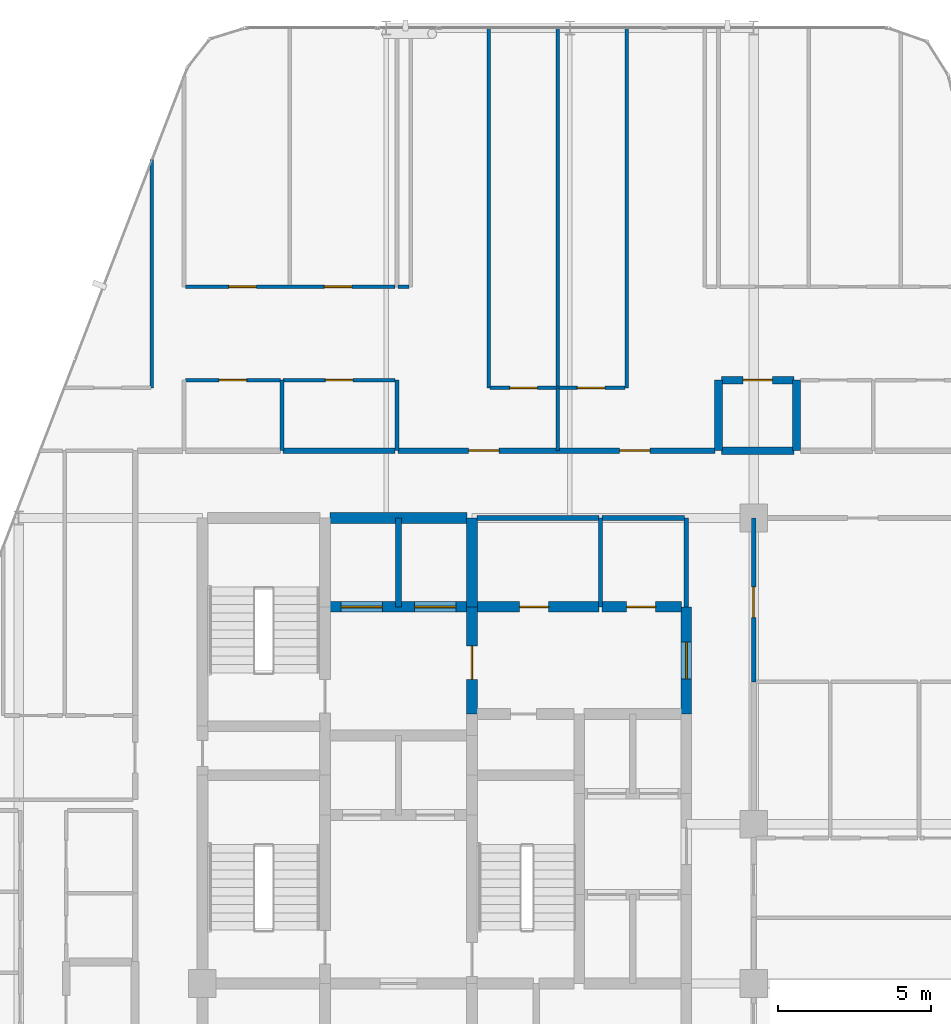
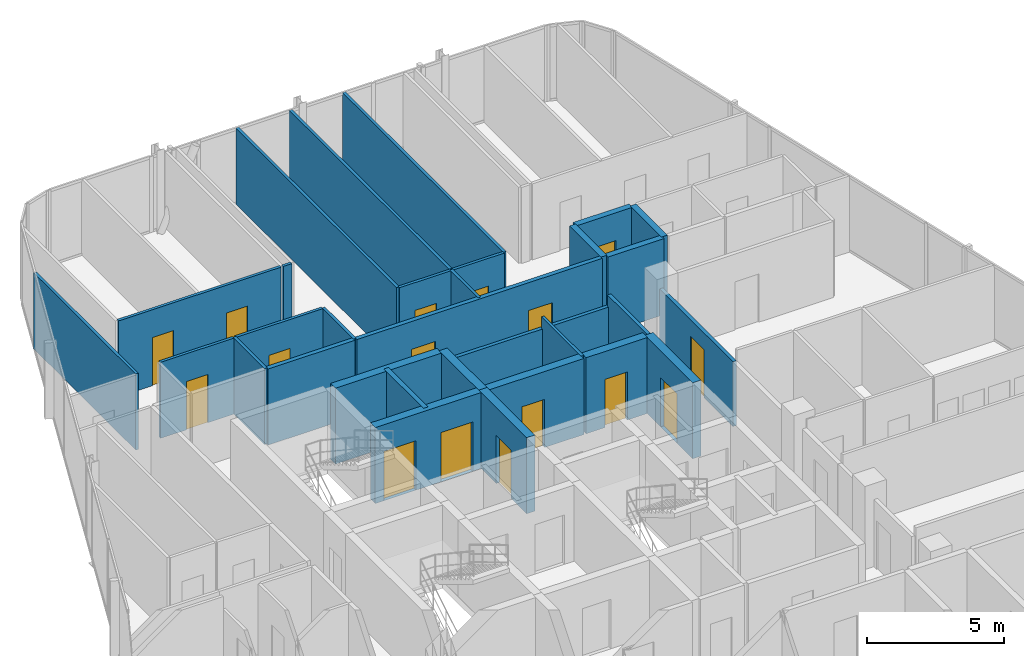
# One storey, part 27 of 29: 31 walls, 16 doors, 16 openings.
"""IFC4 building model written with IfcOpenShell, lengths in metres."""

from ifc_helpers import new_model, si_unit, direction, frame, frame_2d, origin, place, context, subcontext, project, spatial, rectangle, extrude, material, layer, layer_set, type_object, element, fill, save


model = new_model("IFC4")

# Units and contexts
model_context = context("Model", 3, precision=1e-05, world=origin(), true_north=direction((0.0, 1.0)))
body_context = subcontext(model_context, "Body", "Model", "MODEL_VIEW")
ifc_project = project(units=[si_unit("LENGTHUNIT", "METRE"), si_unit("AREAUNIT", "SQUARE_METRE"), si_unit("VOLUMEUNIT", "CUBIC_METRE"), si_unit("PLANEANGLEUNIT", "RADIAN"), si_unit("MASSUNIT", "GRAM", prefix="KILO")], contexts=[model_context])

# Site, building, storey
site_placement = place(None, origin())
site = spatial("IfcSite", under=ifc_project, at=site_placement, CompositionType="ELEMENT")
building_placement = place(site_placement, origin())
building = spatial("IfcBuilding", under=site, at=building_placement, Name="Keshet Zoharim Tower", CompositionType="ELEMENT")
storey_placement = place(building_placement, frame((0.0, 0.0, 188.39990234375)))
storey = spatial("IfcBuildingStorey", under=building, at=storey_placement, Name="L46", CompositionType="ELEMENT", Elevation=188.39990234375)

# Wall
ifc_material_1 = material(Name="Gypsum Plasterboard", Category="gypsum")
ifc_layer_1 = layer(ifc_material_1, 0.14990234375)
ifc_layer_set_1 = layer_set([ifc_layer_1], Name="Gypsum Plasterboard")
wall_type_1 = type_object("IfcWallType", Name="WL-CLIN-150", PredefinedType="STANDARD", material=ifc_layer_set_1)
wall_1_placement = place(storey_placement, frame((30.800048828125, 35.0, 0.0), z_axis=(0.0, 0.0, 1.0), x_axis=(0.0, 1.0, 0.0)))
element("IfcWall", 1, at=wall_1_placement, inside=storey, type_object=wall_type_1, Name="L46 Interior Wall 064", PredefinedType="STANDARD", context=body_context, shape_type="SweptSolid", body=[
    extrude(rectangle(XDim=2.89990234375, YDim=0.14990234375, at=frame_2d((1.449951171875, 0.0))), origin(), (0.0, 0.0, 1.0), 3.39013671875),
])

# Wall, opening, door
wall_2_placement = place(storey_placement, frame((33.0, 32.5400390625, 0.0), z_axis=(0.0, 0.0, 1.0), x_axis=(0.0, 1.0, 0.0)))
wall_2 = element("IfcWall", 2, at=wall_2_placement, inside=storey, type_object=wall_type_1, Name="L46 Interior Wall 074", PredefinedType="STANDARD", context=body_context, shape_type="SweptSolid", body=[
    extrude(rectangle(XDim=5.35986328125, YDim=0.14990234375, at=frame_2d((2.679931640625, 0.0))), origin(), (0.0, 0.0, 1.0), 2.89013671875),
])
opening_1_placement = place(wall_2_placement, frame((2.10888671875, 0.0, 0.0)))
opening_1 = element("IfcOpeningElement", 3, at=opening_1_placement, cuts=wall_2, Name="Opening D-F310", PredefinedType="OPENING", context=body_context, shape_type="SweptSolid", body=[
    extrude(rectangle(XDim=1.0, YDim=2.14990234375, at=frame_2d((0.5, 1.074951171875))), frame((0.0, 0.0849609375, 0.0), z_axis=(0.0, -1.0, 0.0), x_axis=(1.0, 0.0, 0.0)), (0.0, 0.0, 1.0), 0.169921875),
])
ifc_material_2 = material(Name="Hardwood Timber", Category="wood")
door_type_1 = type_object("IfcDoorType", Name="DR-FD30-100", OperationType="NOTDEFINED", PredefinedType="DOOR", material=ifc_material_2)
door_1_placement = place(opening_1_placement, origin())
door_1 = element("IfcDoor", 4, at=door_1_placement, inside=storey, type_object=door_type_1, Name="L46 North West Residents Services Suite Door 2", OperationType="SINGLE_SWING_LEFT", OverallHeight=2.14990234375, OverallWidth=1.0, PredefinedType="DOOR", context=body_context, shape_type="SweptSolid", body=[
    extrude(rectangle(XDim=1.0, YDim=2.14990234375, at=frame_2d((0.5, 1.074951171875))), frame((0.0, 0.02490234375, 0.0), z_axis=(0.0, -1.0, 0.0), x_axis=(1.0, 0.0, 0.0)), (0.0, 0.0, 1.0), 0.050048828125),
])
fill(opening_1, door_1)

# Walls
wall_3_placement = place(storey_placement, frame((23.9599609375, 37.89990234375, 0.0), z_axis=(0.0, 0.0, 1.0), x_axis=(1.0, 0.0, 0.0)))
element("IfcWall", 5, at=wall_3_placement, inside=storey, type_object=wall_type_1, Name="L46 Interior Wall 177", PredefinedType="STANDARD", context=body_context, shape_type="SweptSolid", body=[
    extrude(rectangle(XDim=3.9951171875, YDim=0.14990234375, at=frame_2d((1.99755859375, 0.0))), origin(), (0.0, 0.0, 1.0), 2.89013671875),
])
wall_4_placement = place(storey_placement, frame((28.044921875, 37.89990234375, 0.0), z_axis=(0.0, 0.0, 1.0), x_axis=(1.0, 0.0, 0.0)))
element("IfcWall", 6, at=wall_4_placement, inside=storey, type_object=wall_type_1, Name="L46 Interior Wall 178", PredefinedType="STANDARD", context=body_context, shape_type="SweptSolid", body=[
    extrude(rectangle(XDim=2.695068359375, YDim=0.14990234375, at=frame_2d((1.34765625, 0.0))), origin(), (0.0, 0.0, 1.0), 2.89013671875),
])

# Wall, opening, door
ifc_material_3 = material(Name="Concrete C60/75", Category="concrete")
ifc_layer_2 = layer(ifc_material_3, 0.35009765625)
ifc_layer_set_2 = layer_set([ifc_layer_2], Name="Concrete C60/75")
wall_type_2 = type_object("IfcWallType", Name="WL-CORE-350", PredefinedType="SHEAR", material=ifc_layer_set_2)
wall_5_placement = place(storey_placement, frame((23.800048828125, 31.5, 0.0), z_axis=(0.0, 0.0, 1.0), x_axis=(0.0, 1.0, 0.0)))
wall_5 = element("IfcWall", 7, at=wall_5_placement, inside=storey, type_object=wall_type_2, Name="L46 Core Shear Wall 042", PredefinedType="SHEAR", context=body_context, shape_type="SweptSolid", body=[
    extrude(rectangle(XDim=3.5, YDim=0.35009765625, at=frame_2d((1.75, 0.0))), origin(), (0.0, 0.0, 1.0), 3.39013671875),
])
opening_2_placement = place(wall_5_placement, frame((1.126953125, 0.0, 0.0)))
opening_2 = element("IfcOpeningElement", 8, at=opening_2_placement, cuts=wall_5, Name="Opening D-F611", PredefinedType="OPENING", context=body_context, shape_type="SweptSolid", body=[
    extrude(rectangle(XDim=1.10009765625, YDim=2.14990234375, at=frame_2d((0.550048828125, 1.074951171875))), frame((0.0, 0.18505859375, 0.0), z_axis=(0.0, -1.0, 0.0), x_axis=(1.0, 0.0, 0.0)), (0.0, 0.0, 1.0), 0.3701171875),
])
door_type_2 = type_object("IfcDoorType", Name="DR-FD60-110", OperationType="NOTDEFINED", PredefinedType="DOOR", material=ifc_material_2)
door_2_placement = place(opening_2_placement, origin())
door_2 = element("IfcDoor", 9, at=door_2_placement, inside=storey, type_object=door_type_2, Name="L46 Firefighting Lobby Fire Door", OperationType="SINGLE_SWING_LEFT", OverallHeight=2.14990234375, OverallWidth=1.10009765625, PredefinedType="DOOR", context=body_context, shape_type="SweptSolid", body=[
    extrude(rectangle(XDim=1.10009765625, YDim=2.14990234375, at=frame_2d((0.550048828125, 1.074951171875))), frame((0.0, 0.02490234375, 0.0), z_axis=(0.0, -1.0, 0.0), x_axis=(1.0, 0.0, 0.0)), (0.0, 0.0, 1.0), 0.050048828125),
])
fill(opening_2, door_2)

# Wall
wall_6_placement = place(storey_placement, frame((23.800048828125, 35.0, 0.0), z_axis=(0.0, 0.0, 1.0), x_axis=(0.0, 1.0, 0.0)))
element("IfcWall", 10, at=wall_6_placement, inside=storey, type_object=wall_type_2, Name="L46 Core Shear Wall 043", PredefinedType="SHEAR", context=body_context, shape_type="SweptSolid", body=[
    extrude(rectangle(XDim=2.89990234375, YDim=0.35009765625, at=frame_2d((1.449951171875, 0.0))), origin(), (0.0, 0.0, 1.0), 3.39013671875),
])

# Wall, opening, door
wall_7_placement = place(storey_placement, frame((30.800048828125, 31.5, 0.0), z_axis=(0.0, 0.0, 1.0), x_axis=(0.0, 1.0, 0.0)))
wall_7 = element("IfcWall", 11, at=wall_7_placement, inside=storey, type_object=wall_type_2, Name="L46 Core Shear Wall 063", PredefinedType="SHEAR", context=body_context, shape_type="SweptSolid", body=[
    extrude(rectangle(XDim=3.5, YDim=0.35009765625, at=frame_2d((1.75, 0.0))), origin(), (0.0, 0.0, 1.0), 3.39013671875),
])
opening_3_placement = place(wall_7_placement, frame((1.14990234375, 0.0, 0.0)))
opening_3 = element("IfcOpeningElement", 12, at=opening_3_placement, cuts=wall_7, Name="Opening D-F612", PredefinedType="OPENING", context=body_context, shape_type="SweptSolid", body=[
    extrude(rectangle(XDim=1.199951171875, YDim=2.199951171875, at=frame_2d((0.60009765625, 1.10009765625))), frame((0.0, 0.18505859375, 0.0), z_axis=(0.0, -1.0, 0.0), x_axis=(1.0, 0.0, 0.0)), (0.0, 0.0, 1.0), 0.3701171875),
])
door_type_3 = type_object("IfcDoorType", Name="DR-FD60-120", OperationType="NOTDEFINED", PredefinedType="DOOR", material=ifc_material_2)
door_3_placement = place(opening_3_placement, origin())
door_3 = element("IfcDoor", 13, at=door_3_placement, inside=storey, type_object=door_type_3, Name="L46 North Lift Lobby East Fire Door", OperationType="SINGLE_SWING_LEFT", OverallHeight=2.199951171875, OverallWidth=1.199951171875, PredefinedType="DOOR", context=body_context, shape_type="SweptSolid", body=[
    extrude(rectangle(XDim=1.199951171875, YDim=2.199951171875, at=frame_2d((0.60009765625, 1.10009765625))), frame((0.0, 0.02490234375, 0.0), z_axis=(0.0, -1.0, 0.0), x_axis=(1.0, 0.0, 0.0)), (0.0, 0.0, 1.0), 0.050048828125),
])
fill(opening_3, door_3)

# Wall, openings, doors
wall_8_placement = place(storey_placement, frame((19.159912109375, 35.0, 0.0), z_axis=(0.0, 0.0, 1.0), x_axis=(1.0, 0.0, 0.0)))
wall_8 = element("IfcWall", 14, at=wall_8_placement, inside=storey, type_object=wall_type_2, Name="L46 Core Shear Wall 172", PredefinedType="SHEAR", context=body_context, shape_type="SweptSolid", body=[
    extrude(rectangle(XDim=4.47998046875, YDim=0.35009765625, at=frame_2d((2.239990234375, 0.0))), origin(), (0.0, 0.0, 1.0), 3.39013671875),
])
opening_4_placement = place(wall_8_placement, frame((0.364990234375, 0.0, 0.0)))
opening_4 = element("IfcOpeningElement", 15, at=opening_4_placement, cuts=wall_8, Name="Opening LD-02", PredefinedType="OPENING", context=body_context, shape_type="SweptSolid", body=[
    extrude(rectangle(XDim=1.35009765625, YDim=2.199951171875, at=frame_2d((0.675048828125, 1.10009765625))), frame((0.0, 0.18505859375, 0.0), z_axis=(0.0, -1.0, 0.0), x_axis=(1.0, 0.0, 0.0)), (0.0, 0.0, 1.0), 0.3701171875),
])
opening_5_placement = place(wall_8_placement, frame((2.764892578125, 0.0, 0.0)))
opening_5 = element("IfcOpeningElement", 16, at=opening_5_placement, cuts=wall_8, Name="Opening LD-02", PredefinedType="OPENING", context=body_context, shape_type="SweptSolid", body=[
    extrude(rectangle(XDim=1.35009765625, YDim=2.199951171875, at=frame_2d((0.675048828125, 1.10009765625))), frame((0.0, 0.18505859375, 0.0), z_axis=(0.0, -1.0, 0.0), x_axis=(1.0, 0.0, 0.0)), (0.0, 0.0, 1.0), 0.3701171875),
])
ifc_material_4 = material(Name="Steel S355", Category="steel")
door_type_4 = type_object("IfcDoorType", Name="DR-LD02-135", OperationType="DOUBLE_DOOR_SLIDING", PredefinedType="DOOR", material=ifc_material_4)
door_4_placement = place(opening_4_placement, origin())
door_4 = element("IfcDoor", 17, at=door_4_placement, inside=storey, type_object=door_type_4, Name="L46 Firefighting Lift Landing Door FF-01", OperationType="DOUBLE_DOOR_SLIDING", OverallHeight=2.199951171875, OverallWidth=1.35009765625, PredefinedType="DOOR", context=body_context, shape_type="SweptSolid", body=[
    extrude(rectangle(XDim=1.35009765625, YDim=2.199951171875, at=frame_2d((0.675048828125, 1.10009765625))), frame((0.0, 0.02490234375, 0.0), z_axis=(0.0, -1.0, 0.0), x_axis=(1.0, 0.0, 0.0)), (0.0, 0.0, 1.0), 0.050048828125),
])
fill(opening_4, door_4)
door_5_placement = place(opening_5_placement, origin())
door_5 = element("IfcDoor", 18, at=door_5_placement, inside=storey, type_object=door_type_4, Name="L46 Firefighting Lift Landing Door FF-02", OperationType="DOUBLE_DOOR_SLIDING", OverallHeight=2.199951171875, OverallWidth=1.35009765625, PredefinedType="DOOR", context=body_context, shape_type="SweptSolid", body=[
    extrude(rectangle(XDim=1.35009765625, YDim=2.199951171875, at=frame_2d((0.675048828125, 1.10009765625))), frame((0.0, 0.02490234375, 0.0), z_axis=(0.0, -1.0, 0.0), x_axis=(1.0, 0.0, 0.0)), (0.0, 0.0, 1.0), 0.050048828125),
])
fill(opening_5, door_5)

# Wall, opening, door
wall_9_placement = place(storey_placement, frame((23.9599609375, 35.0, 0.0), z_axis=(0.0, 0.0, 1.0), x_axis=(1.0, 0.0, 0.0)))
wall_9 = element("IfcWall", 19, at=wall_9_placement, inside=storey, type_object=wall_type_2, Name="L46 Core Shear Wall 173", PredefinedType="SHEAR", context=body_context, shape_type="SweptSolid", body=[
    extrude(rectangle(XDim=3.9951171875, YDim=0.35009765625, at=frame_2d((1.99755859375, 0.0))), origin(), (0.0, 0.0, 1.0), 3.39013671875),
])
opening_6_placement = place(wall_9_placement, frame((1.39306640625, 0.0, 0.0)))
opening_6 = element("IfcOpeningElement", 20, at=opening_6_placement, cuts=wall_9, Name="Opening D-F695", PredefinedType="OPENING", context=body_context, shape_type="SweptSolid", body=[
    extrude(rectangle(XDim=0.949951171875, YDim=2.14990234375, at=frame_2d((0.47509765625, 1.074951171875))), frame((0.0, 0.18505859375, 0.0), z_axis=(0.0, -1.0, 0.0), x_axis=(1.0, 0.0, 0.0)), (0.0, 0.0, 1.0), 0.3701171875),
])
door_type_5 = type_object("IfcDoorType", Name="DR-FD60-095", OperationType="NOTDEFINED", PredefinedType="DOOR", material=ifc_material_2)
door_6_placement = place(opening_6_placement, frame((0.949951171875, 0.0, 0.0), z_axis=(0.0, 0.0, 1.0), x_axis=(-1.0, 0.0, 0.0)))
door_6 = element("IfcDoor", 21, at=door_6_placement, inside=storey, type_object=door_type_5, Name="L46 Laundry Room Door", OperationType="SINGLE_SWING_RIGHT", OverallHeight=2.14990234375, OverallWidth=0.949951171875, PredefinedType="DOOR", context=body_context, shape_type="SweptSolid", body=[
    extrude(rectangle(XDim=0.949951171875, YDim=2.14990234375, at=frame_2d((0.47509765625, 1.074951171875))), frame((0.0, 0.02490234375, 0.0), z_axis=(0.0, -1.0, 0.0), x_axis=(1.0, 0.0, 0.0)), (0.0, 0.0, 1.0), 0.050048828125),
])
fill(opening_6, door_6)

wall_10_placement = place(storey_placement, frame((28.044921875, 35.0, 0.0), z_axis=(0.0, 0.0, 1.0), x_axis=(1.0, 0.0, 0.0)))
wall_10 = element("IfcWall", 22, at=wall_10_placement, inside=storey, type_object=wall_type_2, Name="L46 Core Shear Wall 174", PredefinedType="SHEAR", context=body_context, shape_type="SweptSolid", body=[
    extrude(rectangle(XDim=2.594970703125, YDim=0.35009765625, at=frame_2d((1.29736328125, 0.0))), origin(), (0.0, 0.0, 1.0), 3.39013671875),
])
opening_7_placement = place(wall_10_placement, frame((0.805908203125, 0.0, 0.0)))
opening_7 = element("IfcOpeningElement", 23, at=opening_7_placement, cuts=wall_10, Name="Opening D-F695", PredefinedType="OPENING", context=body_context, shape_type="SweptSolid", body=[
    extrude(rectangle(XDim=0.949951171875, YDim=2.14990234375, at=frame_2d((0.47509765625, 1.074951171875))), frame((0.0, 0.18505859375, 0.0), z_axis=(0.0, -1.0, 0.0), x_axis=(1.0, 0.0, 0.0)), (0.0, 0.0, 1.0), 0.3701171875),
])
door_7_placement = place(opening_7_placement, frame((0.949951171875, 0.0, 0.0), z_axis=(0.0, 0.0, 1.0), x_axis=(-1.0, 0.0, 0.0)))
door_7 = element("IfcDoor", 24, at=door_7_placement, inside=storey, type_object=door_type_5, Name="L46 Quiet Study Room Door", OperationType="SINGLE_SWING_LEFT", OverallHeight=2.14990234375, OverallWidth=0.949951171875, PredefinedType="DOOR", context=body_context, shape_type="SweptSolid", body=[
    extrude(rectangle(XDim=0.949951171875, YDim=2.14990234375, at=frame_2d((0.47509765625, 1.074951171875))), frame((0.0, 0.02490234375, 0.0), z_axis=(0.0, -1.0, 0.0), x_axis=(1.0, 0.0, 0.0)), (0.0, 0.0, 1.0), 0.050048828125),
])
fill(opening_7, door_7)

# Walls
wall_11_placement = place(storey_placement, frame((19.159912109375, 37.89990234375, 0.0), z_axis=(0.0, 0.0, 1.0), x_axis=(1.0, 0.0, 0.0)))
element("IfcWall", 25, at=wall_11_placement, inside=storey, type_object=wall_type_2, Name="L46 Core Shear Wall 176", PredefinedType="SHEAR", context=body_context, shape_type="SweptSolid", body=[
    extrude(rectangle(XDim=4.47998046875, YDim=0.35009765625, at=frame_2d((2.239990234375, 0.0))), origin(), (0.0, 0.0, 1.0), 3.39013671875),
])
ifc_layer_3 = layer(ifc_material_1, 0.179931640625)
ifc_layer_set_3 = layer_set([ifc_layer_3], Name="Gypsum Plasterboard")
wall_type_3 = type_object("IfcWallType", Name="WL-CORR-180", PredefinedType="STANDARD", material=ifc_layer_set_3)
wall_12_placement = place(storey_placement, frame((17.636962890625, 40.10009765625, 0.0), z_axis=(0.0, 0.0, 1.0), x_axis=(1.0, 0.0, 0.0)))
element("IfcWall", 26, at=wall_12_placement, inside=storey, type_object=wall_type_3, Name="L46 Interior Wall 184", PredefinedType="STANDARD", context=body_context, shape_type="SweptSolid", body=[
    extrude(rectangle(XDim=3.657958984375, YDim=0.179931640625, at=frame_2d((1.8291015625, 0.0))), origin(), (0.0, 0.0, 1.0), 3.39013671875),
])

# Wall, openings, doors
wall_13_placement = place(storey_placement, frame((21.385009765625, 40.10009765625, 0.0), z_axis=(0.0, 0.0, 1.0), x_axis=(1.0, 0.0, 0.0)))
wall_13 = element("IfcWall", 27, at=wall_13_placement, inside=storey, type_object=wall_type_3, Name="L46 Interior Wall 185", PredefinedType="STANDARD", context=body_context, shape_type="SweptSolid", body=[
    extrude(rectangle(XDim=10.344970703125, YDim=0.179931640625, at=frame_2d((5.17236328125, 0.0))), origin(), (0.0, 0.0, 1.0), 3.39013671875),
])
opening_8_placement = place(wall_13_placement, frame((2.304931640625, 0.0, 0.0)))
opening_8 = element("IfcOpeningElement", 28, at=opening_8_placement, cuts=wall_13, Name="Opening D-F310", PredefinedType="OPENING", context=body_context, shape_type="SweptSolid", body=[
    extrude(rectangle(XDim=1.0, YDim=2.14990234375, at=frame_2d((0.5, 1.074951171875))), frame((0.0, 0.10009765625, 0.0), z_axis=(0.0, -1.0, 0.0), x_axis=(1.0, 0.0, 0.0)), (0.0, 0.0, 1.0), 0.199951171875),
])
opening_9_placement = place(wall_13_placement, frame((7.235107421875, 0.0, 0.0)))
opening_9 = element("IfcOpeningElement", 29, at=opening_9_placement, cuts=wall_13, Name="Opening D-F310", PredefinedType="OPENING", context=body_context, shape_type="SweptSolid", body=[
    extrude(rectangle(XDim=1.0, YDim=2.14990234375, at=frame_2d((0.5, 1.074951171875))), frame((0.0, 0.10009765625, 0.0), z_axis=(0.0, -1.0, 0.0), x_axis=(1.0, 0.0, 0.0)), (0.0, 0.0, 1.0), 0.199951171875),
])
door_8_placement = place(opening_8_placement, origin())
door_8 = element("IfcDoor", 30, at=door_8_placement, inside=storey, type_object=door_type_1, Name="Apartment 4604 Entrance Door", OperationType="SINGLE_SWING_LEFT", OverallHeight=2.14990234375, OverallWidth=1.0, PredefinedType="DOOR", context=body_context, shape_type="SweptSolid", body=[
    extrude(rectangle(XDim=1.0, YDim=2.14990234375, at=frame_2d((0.5, 1.074951171875))), frame((0.0, 0.02490234375, 0.0), z_axis=(0.0, -1.0, 0.0), x_axis=(1.0, 0.0, 0.0)), (0.0, 0.0, 1.0), 0.050048828125),
])
fill(opening_8, door_8)
door_9_placement = place(opening_9_placement, origin())
door_9 = element("IfcDoor", 31, at=door_9_placement, inside=storey, type_object=door_type_1, Name="Apartment 4605 Entrance Door", OperationType="SINGLE_SWING_RIGHT", OverallHeight=2.14990234375, OverallWidth=1.0, PredefinedType="DOOR", context=body_context, shape_type="SweptSolid", body=[
    extrude(rectangle(XDim=1.0, YDim=2.14990234375, at=frame_2d((0.5, 1.074951171875))), frame((0.0, 0.02490234375, 0.0), z_axis=(0.0, -1.0, 0.0), x_axis=(1.0, 0.0, 0.0)), (0.0, 0.0, 1.0), 0.050048828125),
])
fill(opening_9, door_9)

# Walls
ifc_material_5 = material(Name="Concrete C50/60", Category="concrete")
ifc_layer_4 = layer(ifc_material_5, 0.199951171875)
ifc_layer_set_4 = layer_set([ifc_layer_4], Name="Concrete C50/60")
wall_type_4 = type_object("IfcWallType", Name="WL-FIRE-200", PredefinedType="STANDARD", material=ifc_layer_set_4)
wall_14_placement = place(storey_placement, frame((21.39990234375, 35.0, 0.0), z_axis=(0.0, 0.0, 1.0), x_axis=(0.0, 1.0, 0.0)))
element("IfcWall", 32, at=wall_14_placement, inside=storey, type_object=wall_type_4, Name="L46 Interior Wall 035", PredefinedType="STANDARD", context=body_context, shape_type="SweptSolid", body=[
    extrude(rectangle(XDim=2.89990234375, YDim=0.199951171875, at=frame_2d((1.449951171875, 0.0))), origin(), (0.0, 0.0, 1.0), 3.39013671875),
])
ifc_layer_5 = layer(ifc_material_5, 0.25)
ifc_layer_set_5 = layer_set([ifc_layer_5], Name="Concrete C50/60")
wall_type_5 = type_object("IfcWallType", Name="WL-MAMAD-250", PredefinedType="STANDARD", material=ifc_layer_set_5)
for number, where, z_axis, x_axis, name in (
    (33, (31.85009765625, 40.10009765625, 0.0), (0.0, 0.0, 1.0), (0.0, 1.0, 0.0), "L46 Interior Wall 069"),
    (34, (34.39990234375, 40.10009765625, 0.0), (0.0, 0.0, 1.0), (0.0, 1.0, 0.0), "L46 Interior Wall 076"),
):
    element("IfcWall", number, at=place(storey_placement, frame(where, z_axis=z_axis, x_axis=x_axis)), inside=storey, type_object=wall_type_5, Name=name, PredefinedType="STANDARD", context=body_context, shape_type="SweptSolid", body=[
        extrude(rectangle(XDim=2.2998046875, YDim=0.25, at=frame_2d((1.14990234375, 0.0))), origin(), (0.0, 0.0, 1.0), 3.39013671875),
    ])
wall_15_placement = place(storey_placement, frame((31.949951171875, 40.10009765625, 0.0), z_axis=(0.0, 0.0, 1.0), x_axis=(1.0, 0.0, 0.0)))
element("IfcWall", 35, at=wall_15_placement, inside=storey, type_object=wall_type_5, Name="L46 Interior Wall 186", PredefinedType="STANDARD", context=body_context, shape_type="SweptSolid", body=[
    extrude(rectangle(XDim=2.364013671875, YDim=0.25, at=frame_2d((1.18212890625, 0.0))), origin(), (0.0, 0.0, 1.0), 3.39013671875),
])

# Wall, opening, door
wall_16_placement = place(storey_placement, frame((31.949951171875, 42.39990234375, 0.0), z_axis=(0.0, 0.0, 1.0), x_axis=(1.0, 0.0, 0.0)))
wall_16 = element("IfcWall", 36, at=wall_16_placement, inside=storey, type_object=wall_type_5, Name="L46 Interior Wall 196", PredefinedType="STANDARD", context=body_context, shape_type="SweptSolid", body=[
    extrude(rectangle(XDim=2.364013671875, YDim=0.25, at=frame_2d((1.18212890625, 0.0))), origin(), (0.0, 0.0, 1.0), 3.39013671875),
])
opening_10_placement = place(wall_16_placement, frame((0.70703125, 0.0, 0.0)))
opening_10 = element("IfcOpeningElement", 37, at=opening_10_placement, cuts=wall_16, Name="Opening D-F695", PredefinedType="OPENING", context=body_context, shape_type="SweptSolid", body=[
    extrude(rectangle(XDim=0.949951171875, YDim=2.14990234375, at=frame_2d((0.47509765625, 1.074951171875))), frame((0.0, 0.135009765625, 0.0), z_axis=(0.0, -1.0, 0.0), x_axis=(1.0, 0.0, 0.0)), (0.0, 0.0, 1.0), 0.27001953125),
])
door_10_placement = place(opening_10_placement, origin())
door_10 = element("IfcDoor", 38, at=door_10_placement, inside=storey, type_object=door_type_5, Name="Apartment 4605 Study and Shelter Room Door", OperationType="SINGLE_SWING_RIGHT", OverallHeight=2.14990234375, OverallWidth=0.949951171875, PredefinedType="DOOR", context=body_context, shape_type="SweptSolid", body=[
    extrude(rectangle(XDim=0.949951171875, YDim=2.14990234375, at=frame_2d((0.47509765625, 1.074951171875))), frame((0.0, 0.02490234375, 0.0), z_axis=(0.0, -1.0, 0.0), x_axis=(1.0, 0.0, 0.0)), (0.0, 0.0, 1.0), 0.050048828125),
])
fill(opening_10, door_10)

# Walls
ifc_layer_6 = layer(ifc_material_1, 0.1201171875)
ifc_layer_set_6 = layer_set([ifc_layer_6], Name="Gypsum Plasterboard")
wall_type_6 = type_object("IfcWallType", Name="WL-PART-120", PredefinedType="PARTITIONING", material=ifc_layer_set_6)
wall_17_placement = place(storey_placement, frame((13.35009765625, 42.14990234375, 0.0), z_axis=(0.0, 0.0, 1.0), x_axis=(0.0, 1.0, 0.0)))
element("IfcWall", 39, at=wall_17_placement, inside=storey, type_object=wall_type_6, Name="L46 Interior Wall 013", PredefinedType="PARTITIONING", context=body_context, shape_type="SweptSolid", body=[
    extrude(rectangle(XDim=7.4501953125, YDim=0.1201171875, at=frame_2d((3.72509765625, 0.0))), origin(), (0.0, 0.0, 1.0), 3.39013671875),
])
wall_18_placement = place(storey_placement, frame((24.35009765625, 42.14990234375, 0.0), z_axis=(0.0, 0.0, 1.0), x_axis=(0.0, 1.0, 0.0)))
element("IfcWall", 40, at=wall_18_placement, inside=storey, type_object=wall_type_6, Name="L46 Interior Wall 044", PredefinedType="PARTITIONING", context=body_context, shape_type="SweptSolid", body=[
    extrude(rectangle(XDim=11.739990234375, YDim=0.1201171875, at=frame_2d((5.8701171875, 0.0))), origin(), (0.0, 0.0, 1.0), 3.39013671875),
])
wall_19_placement = place(storey_placement, frame((26.60009765625, 40.10009765625, 0.0), z_axis=(0.0, 0.0, 1.0), x_axis=(0.0, 1.0, 0.0)))
element("IfcWall", 41, at=wall_19_placement, inside=storey, type_object=wall_type_6, Name="L46 Interior Wall 048", PredefinedType="PARTITIONING", context=body_context, shape_type="SweptSolid", body=[
    extrude(rectangle(XDim=2.0498046875, YDim=0.1201171875, at=frame_2d((1.02490234375, 0.0))), origin(), (0.0, 0.0, 1.0), 3.39013671875),
])
wall_20_placement = place(storey_placement, frame((26.60009765625, 42.14990234375, 0.0), z_axis=(0.0, 0.0, 1.0), x_axis=(0.0, 1.0, 0.0)))
element("IfcWall", 42, at=wall_20_placement, inside=storey, type_object=wall_type_6, Name="L46 Interior Wall 049", PredefinedType="PARTITIONING", context=body_context, shape_type="SweptSolid", body=[
    extrude(rectangle(XDim=11.739990234375, YDim=0.1201171875, at=frame_2d((5.8701171875, 0.0))), origin(), (0.0, 0.0, 1.0), 3.39013671875),
])
wall_21_placement = place(storey_placement, frame((28.0, 35.0, 0.0), z_axis=(0.0, 0.0, 1.0), x_axis=(0.0, 1.0, 0.0)))
element("IfcWall", 43, at=wall_21_placement, inside=storey, type_object=wall_type_6, Name="L46 Interior Wall 054", PredefinedType="PARTITIONING", context=body_context, shape_type="SweptSolid", body=[
    extrude(rectangle(XDim=2.89990234375, YDim=0.1201171875, at=frame_2d((1.449951171875, 0.0))), origin(), (0.0, 0.0, 1.0), 3.39013671875),
])
wall_22_placement = place(storey_placement, frame((28.85009765625, 42.14990234375, 0.0), z_axis=(0.0, 0.0, 1.0), x_axis=(0.0, 1.0, 0.0)))
element("IfcWall", 44, at=wall_22_placement, inside=storey, type_object=wall_type_6, Name="L46 Interior Wall 056", PredefinedType="PARTITIONING", context=body_context, shape_type="SweptSolid", body=[
    extrude(rectangle(XDim=11.739990234375, YDim=0.1201171875, at=frame_2d((5.8701171875, 0.0))), origin(), (0.0, 0.0, 1.0), 3.39013671875),
])

# Wall, openings, doors
wall_23_placement = place(storey_placement, frame((24.385009765625, 42.14990234375, 0.0), z_axis=(0.0, 0.0, 1.0), x_axis=(1.0, 0.0, 0.0)))
wall_23 = element("IfcWall", 45, at=wall_23_placement, inside=storey, type_object=wall_type_6, Name="L46 Interior Wall 193", PredefinedType="PARTITIONING", context=body_context, shape_type="SweptSolid", body=[
    extrude(rectangle(XDim=4.409912109375, YDim=0.1201171875, at=frame_2d((2.205078125, 0.0))), origin(), (0.0, 0.0, 1.0), 3.39013671875),
])
opening_11_placement = place(wall_23_placement, frame((0.655029296875, 0.0, 0.0)))
opening_11 = element("IfcOpeningElement", 46, at=opening_11_placement, cuts=wall_23, Name="Opening D-IN90", PredefinedType="OPENING", context=body_context, shape_type="SweptSolid", body=[
    extrude(rectangle(XDim=0.89990234375, YDim=2.14990234375, at=frame_2d((0.449951171875, 1.074951171875))), frame((0.0, 0.070068359375, 0.0), z_axis=(0.0, -1.0, 0.0), x_axis=(1.0, 0.0, 0.0)), (0.0, 0.0, 1.0), 0.14013671875),
])
opening_12_placement = place(wall_23_placement, frame((2.85498046875, 0.0, 0.0)))
opening_12 = element("IfcOpeningElement", 47, at=opening_12_placement, cuts=wall_23, Name="Opening D-IN90", PredefinedType="OPENING", context=body_context, shape_type="SweptSolid", body=[
    extrude(rectangle(XDim=0.89990234375, YDim=2.14990234375, at=frame_2d((0.449951171875, 1.074951171875))), frame((0.0, 0.070068359375, 0.0), z_axis=(0.0, -1.0, 0.0), x_axis=(1.0, 0.0, 0.0)), (0.0, 0.0, 1.0), 0.14013671875),
])
door_type_6 = type_object("IfcDoorType", Name="DR-INT-090", OperationType="NOTDEFINED", PredefinedType="DOOR", material=ifc_material_2)
door_11_placement = place(opening_11_placement, origin())
door_11 = element("IfcDoor", 48, at=door_11_placement, inside=storey, type_object=door_type_6, Name="Apartment 4604 Formal Dining Room Door", OperationType="SINGLE_SWING_RIGHT", OverallHeight=2.14990234375, OverallWidth=0.89990234375, PredefinedType="DOOR", context=body_context, shape_type="SweptSolid", body=[
    extrude(rectangle(XDim=0.89990234375, YDim=2.14990234375, at=frame_2d((0.449951171875, 1.074951171875))), frame((0.0, 0.02490234375, 0.0), z_axis=(0.0, -1.0, 0.0), x_axis=(1.0, 0.0, 0.0)), (0.0, 0.0, 1.0), 0.050048828125),
])
fill(opening_11, door_11)
door_12_placement = place(opening_12_placement, origin())
door_12 = element("IfcDoor", 49, at=door_12_placement, inside=storey, type_object=door_type_6, Name="Apartment 4605 Formal Dining Room Door", OperationType="SINGLE_SWING_LEFT", OverallHeight=2.14990234375, OverallWidth=0.89990234375, PredefinedType="DOOR", context=body_context, shape_type="SweptSolid", body=[
    extrude(rectangle(XDim=0.89990234375, YDim=2.14990234375, at=frame_2d((0.449951171875, 1.074951171875))), frame((0.0, 0.02490234375, 0.0), z_axis=(0.0, -1.0, 0.0), x_axis=(1.0, 0.0, 0.0)), (0.0, 0.0, 1.0), 0.050048828125),
])
fill(opening_12, door_12)

# Wall, opening, door
wall_24_placement = place(storey_placement, frame((14.445068359375, 42.39990234375, 0.0), z_axis=(0.0, 0.0, 1.0), x_axis=(1.0, 0.0, 0.0)))
wall_24 = element("IfcWall", 50, at=wall_24_placement, inside=storey, type_object=wall_type_6, Name="L46 Interior Wall 194", PredefinedType="PARTITIONING", context=body_context, shape_type="SweptSolid", body=[
    extrude(rectangle(XDim=3.10205078125, YDim=0.1201171875, at=frame_2d((1.551025390625, 0.0))), origin(), (0.0, 0.0, 1.0), 3.39013671875),
])
opening_13_placement = place(wall_24_placement, frame((1.10107421875, 0.0, 0.0)))
opening_13 = element("IfcOpeningElement", 51, at=opening_13_placement, cuts=wall_24, Name="Opening D-IN90", PredefinedType="OPENING", context=body_context, shape_type="SweptSolid", body=[
    extrude(rectangle(XDim=0.89990234375, YDim=2.14990234375, at=frame_2d((0.449951171875, 1.074951171875))), frame((0.0, 0.070068359375, 0.0), z_axis=(0.0, -1.0, 0.0), x_axis=(1.0, 0.0, 0.0)), (0.0, 0.0, 1.0), 0.14013671875),
])
door_13_placement = place(opening_13_placement, origin())
door_13 = element("IfcDoor", 52, at=door_13_placement, inside=storey, type_object=door_type_6, Name="Apartment 4604 Kitchen Door", OperationType="SINGLE_SWING_RIGHT", OverallHeight=2.14990234375, OverallWidth=0.89990234375, PredefinedType="DOOR", context=body_context, shape_type="SweptSolid", body=[
    extrude(rectangle(XDim=0.89990234375, YDim=2.14990234375, at=frame_2d((0.449951171875, 1.074951171875))), frame((0.0, 0.02490234375, 0.0), z_axis=(0.0, -1.0, 0.0), x_axis=(1.0, 0.0, 0.0)), (0.0, 0.0, 1.0), 0.050048828125),
])
fill(opening_13, door_13)

# Wall, openings, doors
wall_25_placement = place(storey_placement, frame((14.445068359375, 45.449951171875, 0.0), z_axis=(0.0, 0.0, 1.0), x_axis=(1.0, 0.0, 0.0)))
wall_25 = element("IfcWall", 53, at=wall_25_placement, inside=storey, type_object=wall_type_6, Name="L46 Interior Wall 199", PredefinedType="PARTITIONING", context=body_context, shape_type="SweptSolid", body=[
    extrude(rectangle(XDim=6.849853515625, YDim=0.1201171875, at=frame_2d((3.4248046875, 0.0))), origin(), (0.0, 0.0, 1.0), 3.39013671875),
])
opening_14_placement = place(wall_25_placement, frame((1.4150390625, 0.0, 0.0)))
opening_14 = element("IfcOpeningElement", 54, at=opening_14_placement, cuts=wall_25, Name="Opening D-IN90", PredefinedType="OPENING", context=body_context, shape_type="SweptSolid", body=[
    extrude(rectangle(XDim=0.89990234375, YDim=2.14990234375, at=frame_2d((0.449951171875, 1.074951171875))), frame((0.0, 0.070068359375, 0.0), z_axis=(0.0, -1.0, 0.0), x_axis=(1.0, 0.0, 0.0)), (0.0, 0.0, 1.0), 0.14013671875),
])
opening_15_placement = place(wall_25_placement, frame((4.534912109375, 0.0, 0.0)))
opening_15 = element("IfcOpeningElement", 55, at=opening_15_placement, cuts=wall_25, Name="Opening D-IN90", PredefinedType="OPENING", context=body_context, shape_type="SweptSolid", body=[
    extrude(rectangle(XDim=0.89990234375, YDim=2.14990234375, at=frame_2d((0.449951171875, 1.074951171875))), frame((0.0, 0.070068359375, 0.0), z_axis=(0.0, -1.0, 0.0), x_axis=(1.0, 0.0, 0.0)), (0.0, 0.0, 1.0), 0.14013671875),
])
door_14_placement = place(opening_14_placement, origin())
door_14 = element("IfcDoor", 56, at=door_14_placement, inside=storey, type_object=door_type_6, Name="Apartment 4604 Bedroom 1 Door", OperationType="SINGLE_SWING_LEFT", OverallHeight=2.14990234375, OverallWidth=0.89990234375, PredefinedType="DOOR", context=body_context, shape_type="SweptSolid", body=[
    extrude(rectangle(XDim=0.89990234375, YDim=2.14990234375, at=frame_2d((0.449951171875, 1.074951171875))), frame((0.0, 0.02490234375, 0.0), z_axis=(0.0, -1.0, 0.0), x_axis=(1.0, 0.0, 0.0)), (0.0, 0.0, 1.0), 0.050048828125),
])
fill(opening_14, door_14)
door_15_placement = place(opening_15_placement, origin())
door_15 = element("IfcDoor", 57, at=door_15_placement, inside=storey, type_object=door_type_6, Name="Apartment 4604 Bedroom 2 Door", OperationType="SINGLE_SWING_RIGHT", OverallHeight=2.14990234375, OverallWidth=0.89990234375, PredefinedType="DOOR", context=body_context, shape_type="SweptSolid", body=[
    extrude(rectangle(XDim=0.89990234375, YDim=2.14990234375, at=frame_2d((0.449951171875, 1.074951171875))), frame((0.0, 0.02490234375, 0.0), z_axis=(0.0, -1.0, 0.0), x_axis=(1.0, 0.0, 0.0)), (0.0, 0.0, 1.0), 0.050048828125),
])
fill(opening_15, door_15)

# Walls
wall_26_placement = place(storey_placement, frame((21.385009765625, 45.449951171875, 0.0), z_axis=(0.0, 0.0, 1.0), x_axis=(1.0, 0.0, 0.0)))
element("IfcWall", 58, at=wall_26_placement, inside=storey, type_object=wall_type_6, Name="L46 Interior Wall 200", PredefinedType="PARTITIONING", context=body_context, shape_type="SweptSolid", body=[
    extrude(rectangle(XDim=0.360107421875, YDim=0.1201171875, at=frame_2d((0.18017578125, 0.0))), origin(), (0.0, 0.0, 1.0), 3.39013671875),
])
ifc_layer_7 = layer(ifc_material_1, 0.1201171875)
ifc_layer_set_7 = layer_set([ifc_layer_7], Name="Gypsum Plasterboard")
wall_type_7 = type_object("IfcWallType", Name="WL-WET-120", PredefinedType="PARTITIONING", material=ifc_layer_set_7)
for number, where, z_axis, x_axis, name in (
    (59, (17.60009765625, 40.10009765625, 0.0), (0.0, 0.0, 1.0), (0.0, 1.0, 0.0), "L46 Interior Wall 022"),
    (60, (21.35009765625, 40.10009765625, 0.0), (0.0, 0.0, 1.0), (0.0, 1.0, 0.0), "L46 Interior Wall 032"),
):
    element("IfcWall", number, at=place(storey_placement, frame(where, z_axis=z_axis, x_axis=x_axis)), inside=storey, type_object=wall_type_7, Name=name, PredefinedType="PARTITIONING", context=body_context, shape_type="SweptSolid", body=[
        extrude(rectangle(XDim=2.2998046875, YDim=0.1201171875, at=frame_2d((1.14990234375, 0.0))), origin(), (0.0, 0.0, 1.0), 3.39013671875),
    ])

# Wall, opening, door
wall_27_placement = place(storey_placement, frame((17.636962890625, 42.39990234375, 0.0), z_axis=(0.0, 0.0, 1.0), x_axis=(1.0, 0.0, 0.0)))
wall_27 = element("IfcWall", 61, at=wall_27_placement, inside=storey, type_object=wall_type_7, Name="L46 Interior Wall 195", PredefinedType="PARTITIONING", context=body_context, shape_type="SweptSolid", body=[
    extrude(rectangle(XDim=3.657958984375, YDim=0.1201171875, at=frame_2d((1.8291015625, 0.0))), origin(), (0.0, 0.0, 1.0), 3.39013671875),
])
opening_16_placement = place(wall_27_placement, frame((1.37890625, 0.0, 0.0)))
opening_16 = element("IfcOpeningElement", 62, at=opening_16_placement, cuts=wall_27, Name="Opening D-WT90", PredefinedType="OPENING", context=body_context, shape_type="SweptSolid", body=[
    extrude(rectangle(XDim=0.89990234375, YDim=2.10009765625, at=frame_2d((0.449951171875, 1.050048828125))), frame((0.0, 0.070068359375, 0.0), z_axis=(0.0, -1.0, 0.0), x_axis=(1.0, 0.0, 0.0)), (0.0, 0.0, 1.0), 0.14013671875),
])
door_type_7 = type_object("IfcDoorType", Name="DR-WET-090", OperationType="NOTDEFINED", PredefinedType="DOOR", material=ifc_material_2)
door_16_placement = place(opening_16_placement, origin())
door_16 = element("IfcDoor", 63, at=door_16_placement, inside=storey, type_object=door_type_7, Name="Apartment 4604 Bathroom Door", OperationType="SINGLE_SWING_LEFT", OverallHeight=2.10009765625, OverallWidth=0.89990234375, PredefinedType="DOOR", context=body_context, shape_type="SweptSolid", body=[
    extrude(rectangle(XDim=0.89990234375, YDim=2.10009765625, at=frame_2d((0.449951171875, 1.050048828125))), frame((0.0, 0.02490234375, 0.0), z_axis=(0.0, -1.0, 0.0), x_axis=(1.0, 0.0, 0.0)), (0.0, 0.0, 1.0), 0.050048828125),
])
fill(opening_16, door_16)

save(model, "model.ifc")
